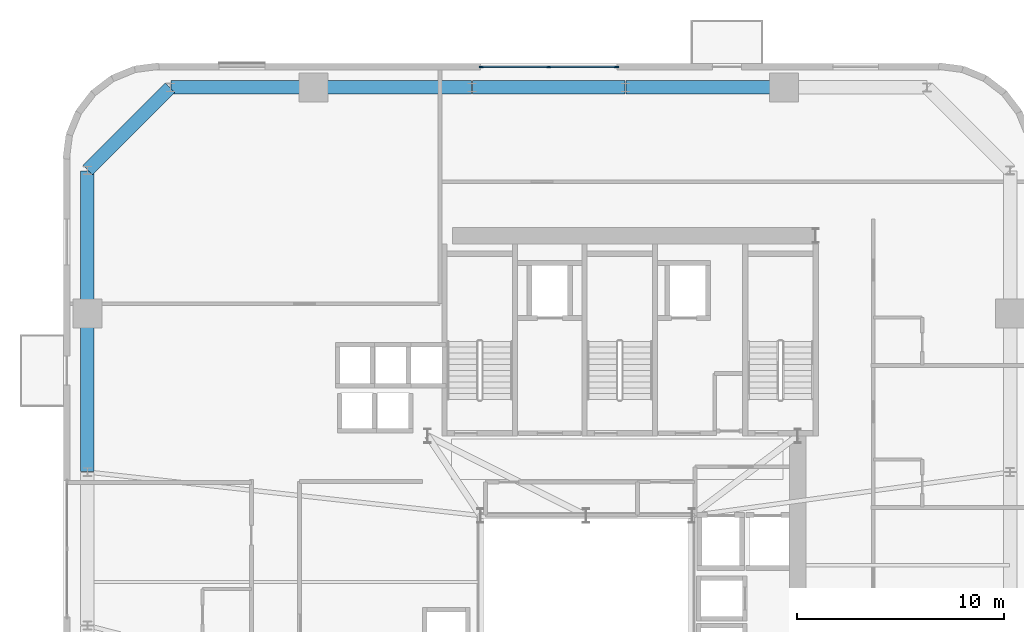
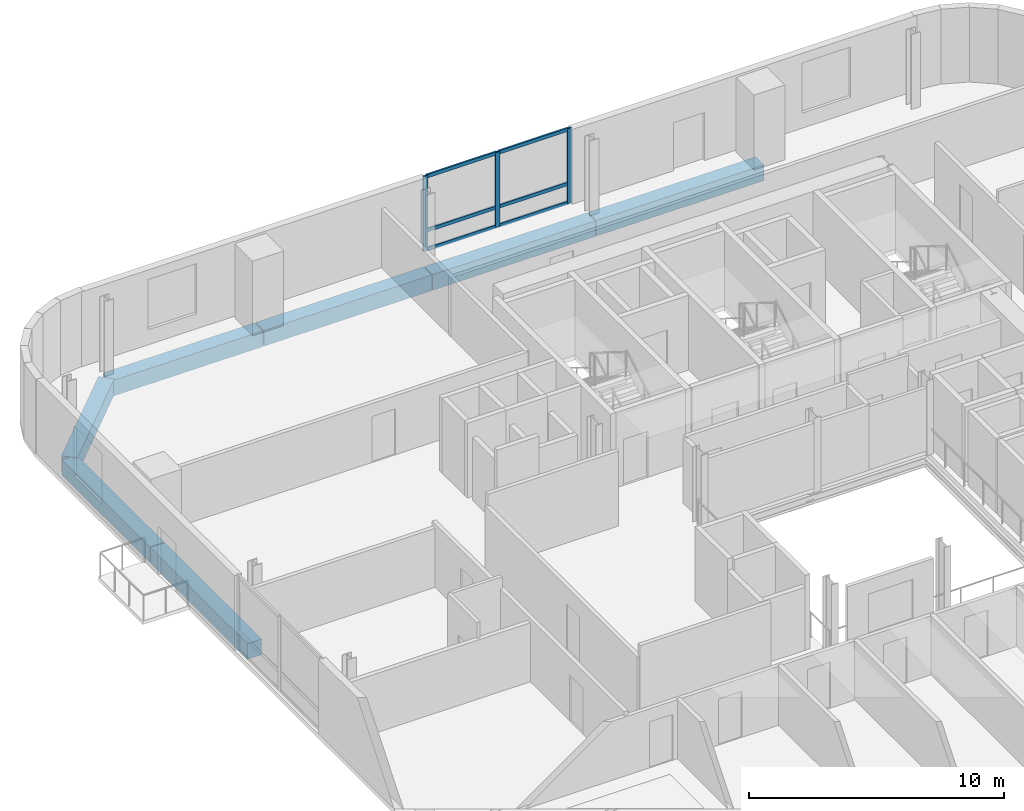
# One storey, part 5 of 14: 9 members, 7 beams, 1 element without a shape of its own.
"""IFC4 building model written with IfcOpenShell, lengths in metres."""

from ifc_helpers import new_model, si_unit, direction, frame, origin, origin_2d, place, context, subcontext, project, spatial, rectangle, extrude, source, transform, mapped, material, material_profile, profile_set, type_object, element, aggregate, save


model = new_model("IFC4")

# Units and contexts
model_context = context("Model", 3, precision=1e-05, world=origin(), true_north=direction((0.0, 1.0)))
body_context = subcontext(model_context, "Body", "Model", "MODEL_VIEW")
ifc_project = project(units=[si_unit("LENGTHUNIT", "METRE"), si_unit("AREAUNIT", "SQUARE_METRE"), si_unit("VOLUMEUNIT", "CUBIC_METRE"), si_unit("PLANEANGLEUNIT", "RADIAN"), si_unit("MASSUNIT", "GRAM", prefix="KILO")], contexts=[model_context])

# Site, building, storey
site_placement = place(None, origin())
site = spatial("IfcSite", under=ifc_project, at=site_placement, CompositionType="ELEMENT")
building_placement = place(site_placement, origin())
building = spatial("IfcBuilding", under=site, at=building_placement, Name="Vardaveli Station Tower", CompositionType="ELEMENT")
storey_placement = place(building_placement, frame((0.0, 0.0, 177.199951171875)))
storey = spatial("IfcBuildingStorey", under=building, at=storey_placement, Name="L45", CompositionType="ELEMENT", Elevation=177.199951171875)

# Beams
ifc_material_1 = material(Name="Precast concrete C45/55", Category="concrete")
ifc_material_profile_1 = material_profile(ifc_material_1, rectangle(XDim=0.64990234375, YDim=0.75, at=origin_2d()), Name="LPB 650x750")
ifc_profile_set_1 = profile_set([ifc_material_profile_1], Name="Precast concrete C45/55")
beam_type = type_object("IfcBeamType", Name="BM-LPB-750", PredefinedType="BEAM", material=ifc_profile_set_1)
shared_shape_1 = source(origin(), body_context, "Body", "SweptSolid", [
    extrude(rectangle(XDim=0.64990234375, YDim=0.75, at=origin_2d()), origin(), (0.0, 0.0, 1.0), 7.60009765625),
])
for number, where, z_axis, x_axis, name in (
    (1, (45.820068359375, 47.449951171875, -0.594970703125), (-1.0, 0.0, 0.0), (0.0, -1.0, 0.0), "RBM-L45-13"),
    (2, (30.780029296875, 47.449951171875, -0.594970703125), (-1.0, 0.0, 0.0), (0.0, -1.0, 0.0), "RBM-L45-15"),
    (3, (12.25, 36.52001953125, -0.594970703125), (0.0, -1.0, 0.0), (1.0, 0.0, 0.0), "RBM-L45-19"),
):
    element("IfcBeam", number, at=place(storey_placement, frame(where, z_axis=z_axis, x_axis=x_axis)), inside=storey, type_object=beam_type, Name=name, PredefinedType="BEAM", context=body_context, shape_type="MappedRepresentation", body=[
        mapped(shared_shape_1, transform((0.0, 0.0, 0.0), scale=1.0)),
    ])
shared_shape_2 = source(origin(), body_context, "Body", "SweptSolid", [
    extrude(rectangle(XDim=0.64990234375, YDim=0.75, at=origin_2d()), origin(), (0.0, 0.0, 1.0), 7.35986328125),
])
beam_1_placement = place(storey_placement, frame((38.179931640625, 47.449951171875, -0.594970703125), z_axis=(-1.0, 0.0, 0.0), x_axis=(0.0, -1.0, 0.0)))
element("IfcBeam", 4, at=beam_1_placement, inside=storey, type_object=beam_type, Name="RBM-L45-14", PredefinedType="BEAM", context=body_context, shape_type="MappedRepresentation", body=[
    mapped(shared_shape_2, transform((0.0, 0.0, 0.0), scale=1.0)),
])
shared_shape_3 = source(origin(), body_context, "Body", "SweptSolid", [
    extrude(rectangle(XDim=0.64990234375, YDim=0.75, at=origin_2d()), origin(), (0.0, 0.0, 1.0), 6.869873046875),
])
for number, where, z_axis, x_axis, name in (
    (5, (23.139892578125, 47.449951171875, -0.594970703125), (-1.0, 0.0, 0.0), (0.0, -1.0, 0.0), "RBM-L45-16"),
    (6, (12.25, 43.429931640625, -0.594970703125), (0.0, -1.0, 0.0), (1.0, 0.0, 0.0), "RBM-L45-18"),
):
    element("IfcBeam", number, at=place(storey_placement, frame(where, z_axis=z_axis, x_axis=x_axis)), inside=storey, type_object=beam_type, Name=name, PredefinedType="BEAM", context=body_context, shape_type="MappedRepresentation", body=[
        mapped(shared_shape_3, transform((0.0, 0.0, 0.0), scale=1.0)),
    ])
shared_shape_4 = source(origin(), body_context, "Body", "SweptSolid", [
    extrude(rectangle(XDim=0.64990234375, YDim=0.75, at=origin_2d()), origin(), (0.0, 0.0, 1.0), 5.61669921875),
])
beam_2_placement = place(storey_placement, frame((16.23583984375, 47.435791015625, -0.594970703125), z_axis=(-0.707106781187, -0.707106781187, 0.0), x_axis=(0.707106781187, -0.707106781187, 0.0)))
element("IfcBeam", 7, at=beam_2_placement, inside=storey, type_object=beam_type, Name="RBM-L45-17", PredefinedType="BEAM", context=body_context, shape_type="MappedRepresentation", body=[
    mapped(shared_shape_4, transform((0.0, 0.0, 0.0), scale=1.0)),
])

# Curtain wall, members
ifc_material_2 = material(Name="Travertine stone and solar-control glass", Category="masonry")
curtain_wall_type = type_object("IfcCurtainWallType", Name="CW-SYS-5", PredefinedType="NOTDEFINED", material=ifc_material_2)
curtain_wall_placement = place(storey_placement, origin())
curtain_wall = element("IfcCurtainWall", 8, at=curtain_wall_placement, inside=storey, type_object=curtain_wall_type, Name="CW-L45-N", PredefinedType="NOTDEFINED")
ifc_material_3 = material(Name="Anodised aluminium alloy 6063-T6", Category="aluminium")
ifc_material_profile_2 = material_profile(ifc_material_3, rectangle(XDim=0.080078125, YDim=0.205078125, at=origin_2d()), Name="CWM 80x205")
ifc_profile_set_2 = profile_set([ifc_material_profile_2], Name="Anodised aluminium alloy 6063-T6")
member_type_1 = type_object("IfcMemberType", Name="CW-SYS-5-MULL", PredefinedType="MULLION", material=ifc_profile_set_2)
shared_shape_5 = source(origin(), body_context, "Body", "SweptSolid", [
    extrude(rectangle(XDim=0.080078125, YDim=0.205078125, at=origin_2d()), origin(), (0.0, 0.0, 1.0), 3.580078125),
])
member_1_placement = place(storey_placement, frame((37.760009765625, 48.43994140625, 0.0), z_axis=(0.0, 0.0, 1.0), x_axis=(0.0, -1.0, 0.0)))
member_1 = element("IfcMember", 9, at=member_1_placement, type_object=member_type_1, Name="CW-5 mullion 1", PredefinedType="MULLION", context=body_context, shape_type="MappedRepresentation", body=[
    mapped(shared_shape_5, transform((0.0, 0.0, 0.0), scale=1.0)),
])
member_2_placement = place(storey_placement, frame((34.5, 48.43994140625, 0.0), z_axis=(0.0, 0.0, 1.0), x_axis=(0.0, -1.0, 0.0)))
member_2 = element("IfcMember", 10, at=member_2_placement, type_object=member_type_1, Name="CW-5 mullion 2", PredefinedType="MULLION", context=body_context, shape_type="MappedRepresentation", body=[
    mapped(shared_shape_5, transform((0.0, 0.0, 0.0), scale=1.0)),
])
member_3_placement = place(storey_placement, frame((31.239990234375, 48.43994140625, 0.0), z_axis=(0.0, 0.0, 1.0), x_axis=(0.0, -1.0, 0.0)))
member_3 = element("IfcMember", 11, at=member_3_placement, type_object=member_type_1, Name="CW-5 mullion 3", PredefinedType="MULLION", context=body_context, shape_type="MappedRepresentation", body=[
    mapped(shared_shape_5, transform((0.0, 0.0, 0.0), scale=1.0)),
])
ifc_material_profile_3 = material_profile(ifc_material_3, rectangle(XDim=0.080078125, YDim=0.1650390625, at=origin_2d()), Name="CWT 80x165")
ifc_profile_set_3 = profile_set([ifc_material_profile_3], Name="Anodised aluminium alloy 6063-T6")
member_type_2 = type_object("IfcMemberType", Name="CW-SYS-5-TRAN", PredefinedType="NOTDEFINED", material=ifc_profile_set_3)
shared_shape_6 = source(origin(), body_context, "Body", "SweptSolid", [
    extrude(rectangle(XDim=0.080078125, YDim=0.1650390625, at=origin_2d()), origin(), (0.0, 0.0, 1.0), 3.179931640625),
])
member_4_placement = place(storey_placement, frame((37.719970703125, 48.43994140625, 0.0400390625), z_axis=(-1.0, 0.0, 0.0), x_axis=(0.0, -1.0, 0.0)))
member_4 = element("IfcMember", 12, at=member_4_placement, type_object=member_type_2, Name="CW-5 transom 1.1", ObjectType="TRANSOM", PredefinedType="USERDEFINED", context=body_context, shape_type="MappedRepresentation", body=[
    mapped(shared_shape_6, transform((0.0, 0.0, 0.0), scale=1.0)),
])
member_5_placement = place(storey_placement, frame((37.719970703125, 48.43994140625, 0.949951171875), z_axis=(-1.0, 0.0, 0.0), x_axis=(0.0, -1.0, 0.0)))
member_5 = element("IfcMember", 13, at=member_5_placement, type_object=member_type_2, Name="CW-5 transom 1.2", ObjectType="TRANSOM", PredefinedType="USERDEFINED", context=body_context, shape_type="MappedRepresentation", body=[
    mapped(shared_shape_6, transform((0.0, 0.0, 0.0), scale=1.0)),
])
member_6_placement = place(storey_placement, frame((37.719970703125, 48.43994140625, 3.5400390625), z_axis=(-1.0, 0.0, 0.0), x_axis=(0.0, -1.0, 0.0)))
member_6 = element("IfcMember", 14, at=member_6_placement, type_object=member_type_2, Name="CW-5 transom 1.3", ObjectType="TRANSOM", PredefinedType="USERDEFINED", context=body_context, shape_type="MappedRepresentation", body=[
    mapped(shared_shape_6, transform((0.0, 0.0, 0.0), scale=1.0)),
])
member_7_placement = place(storey_placement, frame((34.4599609375, 48.43994140625, 0.0400390625), z_axis=(-1.0, 0.0, 0.0), x_axis=(0.0, -1.0, 0.0)))
member_7 = element("IfcMember", 15, at=member_7_placement, type_object=member_type_2, Name="CW-5 transom 2.1", ObjectType="TRANSOM", PredefinedType="USERDEFINED", context=body_context, shape_type="MappedRepresentation", body=[
    mapped(shared_shape_6, transform((0.0, 0.0, 0.0), scale=1.0)),
])
member_8_placement = place(storey_placement, frame((34.4599609375, 48.43994140625, 0.949951171875), z_axis=(-1.0, 0.0, 0.0), x_axis=(0.0, -1.0, 0.0)))
member_8 = element("IfcMember", 16, at=member_8_placement, type_object=member_type_2, Name="CW-5 transom 2.2", ObjectType="TRANSOM", PredefinedType="USERDEFINED", context=body_context, shape_type="MappedRepresentation", body=[
    mapped(shared_shape_6, transform((0.0, 0.0, 0.0), scale=1.0)),
])
member_9_placement = place(storey_placement, frame((34.4599609375, 48.43994140625, 3.5400390625), z_axis=(-1.0, 0.0, 0.0), x_axis=(0.0, -1.0, 0.0)))
member_9 = element("IfcMember", 17, at=member_9_placement, type_object=member_type_2, Name="CW-5 transom 2.3", ObjectType="TRANSOM", PredefinedType="USERDEFINED", context=body_context, shape_type="MappedRepresentation", body=[
    mapped(shared_shape_6, transform((0.0, 0.0, 0.0), scale=1.0)),
])
aggregate(curtain_wall, [member_1, member_2, member_3, member_4, member_5, member_6, member_7, member_8, member_9])

save(model, "model.ifc")
